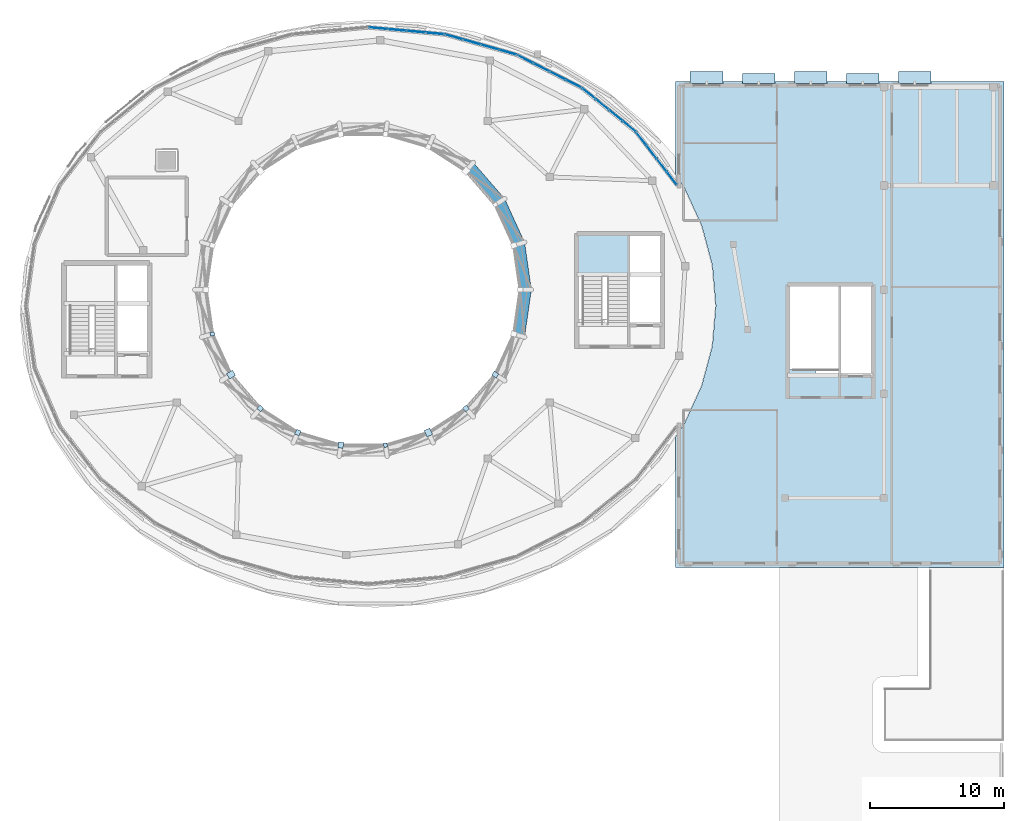
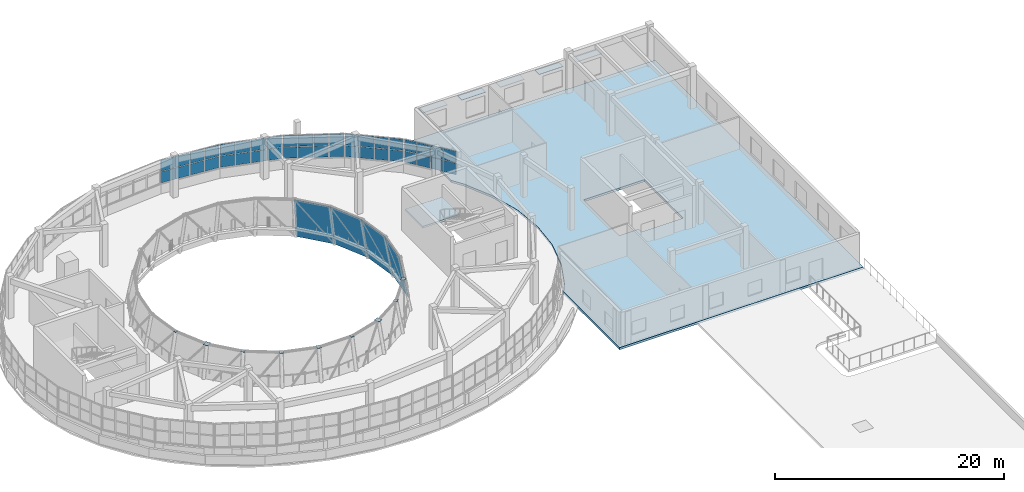
# One storey, part 32 of 46: 58 plates, 2 slabs, 6 elements without a shape of their own.
"""IFC4 building model written with IfcOpenShell, lengths in metres."""

from ifc_helpers import new_model, si_unit, direction, frame, origin, origin_2d, place, context, subcontext, project, spatial, polyline, rectangle, outline, extrude, material, layer, layer_set, type_object, element, aggregate, save


model = new_model("IFC4")

# Units and contexts
model_context = context("Model", 3, precision=1e-05, world=origin(), true_north=direction((0.0, 1.0)))
body_context = subcontext(model_context, "Body", "Model", "MODEL_VIEW")
ifc_project = project(units=[si_unit("LENGTHUNIT", "METRE"), si_unit("AREAUNIT", "SQUARE_METRE"), si_unit("VOLUMEUNIT", "CUBIC_METRE"), si_unit("PLANEANGLEUNIT", "RADIAN"), si_unit("MASSUNIT", "GRAM", prefix="KILO")], contexts=[model_context])

# Site, building, storey
site_placement = place(None, origin())
site = spatial("IfcSite", under=ifc_project, at=site_placement, CompositionType="ELEMENT")
building_placement = place(site_placement, origin())
building = spatial("IfcBuilding", under=site, at=building_placement, Name="Pelvatis Terrace Science Centre", CompositionType="ELEMENT")
storey_placement = place(building_placement, frame((0.0, 0.0, 19.800048828125)))
storey = spatial("IfcBuildingStorey", under=building, at=storey_placement, Name="L04", CompositionType="ELEMENT", Elevation=19.800048828125)

# Curtain wall, plates
ifc_material_1 = material(Name="Bronze-anodised aluminium and laminated glass", Category="aluminium")
ifc_layer_1 = layer(ifc_material_1, 0.14990234375)
ifc_layer_set_1 = layer_set([ifc_layer_1], Name="Bronze-anodised aluminium and laminated glass")
curtain_wall_type = type_object("IfcCurtainWallType", Name="CW-PASSAGE-C", PredefinedType="NOTDEFINED", material=ifc_layer_set_1)
curtain_wall_1_placement = place(storey_placement, origin())
curtain_wall_1 = element("IfcCurtainWall", 1, at=curtain_wall_1_placement, inside=storey, type_object=curtain_wall_type, Name="Ribbon curtain wall CW-213 (L04)", PredefinedType="NOTDEFINED")
ifc_material_2 = material(Name="Low-e laminated solar-control double glazing", Category="glass")
ifc_layer_2 = layer(ifc_material_2, 0.0400390625)
ifc_layer_set_2 = layer_set([ifc_layer_2], Name="Low-e laminated solar-control double glazing")
plate_type_1 = type_object("IfcPlateType", Name="CWP-SPN-40", PredefinedType="CURTAIN_PANEL", material=ifc_layer_set_2)
plate_1_placement = place(storey_placement, frame((132.319580078125, 94.151611328125, 1.074951171875), z_axis=(0.0, 0.0, 1.0), x_axis=(-0.611582483994, 0.791180678019, 0.0)))
plate_1 = element("IfcPlate", 2, at=plate_1_placement, type_object=plate_type_1, Name="CW-213 panel 1.1", PredefinedType="CURTAIN_PANEL", context=body_context, shape_type="SweptSolid", body=[
    extrude(rectangle(XDim=1.166748046875, YDim=0.0400390625, at=origin_2d()), origin(), (0.0, 0.0, 1.0), 1.1923828125),
])
plate_2_placement = place(storey_placement, frame((132.319580078125, 94.151611328125, 2.322509765625), z_axis=(0.0, 0.0, 1.0), x_axis=(-0.611582483994, 0.791180678019, 0.0)))
plate_2 = element("IfcPlate", 3, at=plate_2_placement, type_object=plate_type_1, Name="CW-213 panel 1.2", PredefinedType="CURTAIN_PANEL", context=body_context, shape_type="SweptSolid", body=[
    extrude(rectangle(XDim=1.166748046875, YDim=0.0400390625, at=origin_2d()), origin(), (0.0, 0.0, 1.0), 1.1923828125),
])
plate_3_placement = place(storey_placement, frame((131.56396484375, 95.12890625, 1.074951171875), z_axis=(0.0, 0.0, 1.0), x_axis=(-0.611582483994, 0.791180678019, 0.0)))
plate_3 = element("IfcPlate", 4, at=plate_3_placement, type_object=plate_type_1, Name="CW-213 panel 2.1", PredefinedType="CURTAIN_PANEL", context=body_context, shape_type="SweptSolid", body=[
    extrude(rectangle(XDim=1.194091796875, YDim=0.0400390625, at=origin_2d()), origin(), (0.0, 0.0, 1.0), 1.1923828125),
])
plate_4_placement = place(storey_placement, frame((131.56396484375, 95.12890625, 2.322509765625), z_axis=(0.0, 0.0, 1.0), x_axis=(-0.611582483994, 0.791180678019, 0.0)))
plate_4 = element("IfcPlate", 5, at=plate_4_placement, type_object=plate_type_1, Name="CW-213 panel 2.2", PredefinedType="CURTAIN_PANEL", context=body_context, shape_type="SweptSolid", body=[
    extrude(rectangle(XDim=1.194091796875, YDim=0.0400390625, at=origin_2d()), origin(), (0.0, 0.0, 1.0), 1.1923828125),
])
plate_5_placement = place(storey_placement, frame((130.800048828125, 96.117431640625, 1.074951171875), z_axis=(0.0, 0.0, 1.0), x_axis=(-0.611582483994, 0.791180678019, 0.0)))
plate_5 = element("IfcPlate", 6, at=plate_5_placement, type_object=plate_type_1, Name="CW-213 panel 3.1", PredefinedType="CURTAIN_PANEL", context=body_context, shape_type="SweptSolid", body=[
    extrude(rectangle(XDim=1.194091796875, YDim=0.0400390625, at=origin_2d()), origin(), (0.0, 0.0, 1.0), 1.1923828125),
])
plate_6_placement = place(storey_placement, frame((130.800048828125, 96.117431640625, 2.322509765625), z_axis=(0.0, 0.0, 1.0), x_axis=(-0.611582483994, 0.791180678019, 0.0)))
plate_6 = element("IfcPlate", 7, at=plate_6_placement, type_object=plate_type_1, Name="CW-213 panel 3.2", PredefinedType="CURTAIN_PANEL", context=body_context, shape_type="SweptSolid", body=[
    extrude(rectangle(XDim=1.194091796875, YDim=0.0400390625, at=origin_2d()), origin(), (0.0, 0.0, 1.0), 1.1923828125),
])
plate_7_placement = place(storey_placement, frame((130.04443359375, 97.0947265625, 1.074951171875), z_axis=(0.0, 0.0, 1.0), x_axis=(-0.611582483994, 0.791180678019, 0.0)))
plate_7 = element("IfcPlate", 8, at=plate_7_placement, type_object=plate_type_1, Name="CW-213 panel 4.1", PredefinedType="CURTAIN_PANEL", context=body_context, shape_type="SweptSolid", body=[
    extrude(rectangle(XDim=1.166748046875, YDim=0.0400390625, at=origin_2d()), origin(), (0.0, 0.0, 1.0), 1.1923828125),
])
plate_8_placement = place(storey_placement, frame((130.04443359375, 97.0947265625, 2.322509765625), z_axis=(0.0, 0.0, 1.0), x_axis=(-0.611582483994, 0.791180678019, 0.0)))
plate_8 = element("IfcPlate", 9, at=plate_8_placement, type_object=plate_type_1, Name="CW-213 panel 4.2", PredefinedType="CURTAIN_PANEL", context=body_context, shape_type="SweptSolid", body=[
    extrude(rectangle(XDim=1.166748046875, YDim=0.0400390625, at=origin_2d()), origin(), (0.0, 0.0, 1.0), 1.1923828125),
])
aggregate(curtain_wall_1, [plate_1, plate_2, plate_3, plate_4, plate_5, plate_6, plate_7, plate_8])

curtain_wall_2_placement = place(storey_placement, origin())
curtain_wall_2 = element("IfcCurtainWall", 10, at=curtain_wall_2_placement, inside=storey, type_object=curtain_wall_type, Name="Ribbon curtain wall CW-214 (L04)", PredefinedType="NOTDEFINED")
plate_9_placement = place(storey_placement, frame((129.1357421875, 98.021240234375, 1.074951171875), z_axis=(0.0, 0.0, 1.0), x_axis=(-0.775980152456, 0.630757324963, 0.0)))
plate_9 = element("IfcPlate", 11, at=plate_9_placement, type_object=plate_type_1, Name="CW-214 panel 1.1", PredefinedType="CURTAIN_PANEL", context=body_context, shape_type="SweptSolid", body=[
    extrude(rectangle(XDim=1.22607421875, YDim=0.0400390625, at=origin_2d()), origin(), (0.0, 0.0, 1.0), 1.1923828125),
])
plate_10_placement = place(storey_placement, frame((129.1357421875, 98.021240234375, 2.322509765625), z_axis=(0.0, 0.0, 1.0), x_axis=(-0.775980152456, 0.630757324963, 0.0)))
plate_10 = element("IfcPlate", 12, at=plate_10_placement, type_object=plate_type_1, Name="CW-214 panel 1.2", PredefinedType="CURTAIN_PANEL", context=body_context, shape_type="SweptSolid", body=[
    extrude(rectangle(XDim=1.22607421875, YDim=0.0400390625, at=origin_2d()), origin(), (0.0, 0.0, 1.0), 1.1923828125),
])
plate_11_placement = place(storey_placement, frame((128.130859375, 98.837890625, 1.074951171875), z_axis=(0.0, 0.0, 1.0), x_axis=(-0.775980152456, 0.630757324963, 0.0)))
plate_11 = element("IfcPlate", 13, at=plate_11_placement, type_object=plate_type_1, Name="CW-214 panel 2.1", PredefinedType="CURTAIN_PANEL", context=body_context, shape_type="SweptSolid", body=[
    extrude(rectangle(XDim=1.25341796875, YDim=0.0400390625, at=origin_2d()), origin(), (0.0, 0.0, 1.0), 1.1923828125),
])
plate_12_placement = place(storey_placement, frame((128.130859375, 98.837890625, 2.322509765625), z_axis=(0.0, 0.0, 1.0), x_axis=(-0.775980152456, 0.630757324963, 0.0)))
plate_12 = element("IfcPlate", 14, at=plate_12_placement, type_object=plate_type_1, Name="CW-214 panel 2.2", PredefinedType="CURTAIN_PANEL", context=body_context, shape_type="SweptSolid", body=[
    extrude(rectangle(XDim=1.25341796875, YDim=0.0400390625, at=origin_2d()), origin(), (0.0, 0.0, 1.0), 1.1923828125),
])
plate_13_placement = place(storey_placement, frame((127.115478515625, 99.6630859375, 1.074951171875), z_axis=(0.0, 0.0, 1.0), x_axis=(-0.775980152456, 0.630757324963, 0.0)))
plate_13 = element("IfcPlate", 15, at=plate_13_placement, type_object=plate_type_1, Name="CW-214 panel 3.1", PredefinedType="CURTAIN_PANEL", context=body_context, shape_type="SweptSolid", body=[
    extrude(rectangle(XDim=1.25341796875, YDim=0.0400390625, at=origin_2d()), origin(), (0.0, 0.0, 1.0), 1.1923828125),
])
plate_14_placement = place(storey_placement, frame((127.115478515625, 99.6630859375, 2.322509765625), z_axis=(0.0, 0.0, 1.0), x_axis=(-0.775980152456, 0.630757324963, 0.0)))
plate_14 = element("IfcPlate", 16, at=plate_14_placement, type_object=plate_type_1, Name="CW-214 panel 3.2", PredefinedType="CURTAIN_PANEL", context=body_context, shape_type="SweptSolid", body=[
    extrude(rectangle(XDim=1.25341796875, YDim=0.0400390625, at=origin_2d()), origin(), (0.0, 0.0, 1.0), 1.1923828125),
])
plate_15_placement = place(storey_placement, frame((126.11083984375, 100.479736328125, 1.074951171875), z_axis=(0.0, 0.0, 1.0), x_axis=(-0.775980152456, 0.630757324963, 0.0)))
plate_15 = element("IfcPlate", 17, at=plate_15_placement, type_object=plate_type_1, Name="CW-214 panel 4.1", PredefinedType="CURTAIN_PANEL", context=body_context, shape_type="SweptSolid", body=[
    extrude(rectangle(XDim=1.22607421875, YDim=0.0400390625, at=origin_2d()), origin(), (0.0, 0.0, 1.0), 1.1923828125),
])
plate_16_placement = place(storey_placement, frame((126.11083984375, 100.479736328125, 2.322509765625), z_axis=(0.0, 0.0, 1.0), x_axis=(-0.775980152456, 0.630757324963, 0.0)))
plate_16 = element("IfcPlate", 18, at=plate_16_placement, type_object=plate_type_1, Name="CW-214 panel 4.2", PredefinedType="CURTAIN_PANEL", context=body_context, shape_type="SweptSolid", body=[
    extrude(rectangle(XDim=1.22607421875, YDim=0.0400390625, at=origin_2d()), origin(), (0.0, 0.0, 1.0), 1.1923828125),
])
aggregate(curtain_wall_2, [plate_9, plate_10, plate_11, plate_12, plate_13, plate_14, plate_15, plate_16])

curtain_wall_3_placement = place(storey_placement, origin())
curtain_wall_3 = element("IfcCurtainWall", 19, at=curtain_wall_3_placement, inside=storey, type_object=curtain_wall_type, Name="Ribbon curtain wall CW-215 (L04)", PredefinedType="NOTDEFINED")
plate_17_placement = place(storey_placement, frame((124.972412109375, 101.218017578125, 1.074951171875), z_axis=(0.0, 0.0, 1.0), x_axis=(-0.890563601587, 0.454858737992, 0.0)))
plate_17 = element("IfcPlate", 20, at=plate_17_placement, type_object=plate_type_1, Name="CW-215 panel 1.1", PredefinedType="CURTAIN_PANEL", context=body_context, shape_type="SweptSolid", body=[
    extrude(rectangle(XDim=1.28271484375, YDim=0.0400390625, at=origin_2d()), origin(), (0.0, 0.0, 1.0), 1.1923828125),
])
plate_18_placement = place(storey_placement, frame((124.972412109375, 101.218017578125, 2.322509765625), z_axis=(0.0, 0.0, 1.0), x_axis=(-0.890563601587, 0.454858737992, 0.0)))
plate_18 = element("IfcPlate", 21, at=plate_18_placement, type_object=plate_type_1, Name="CW-215 panel 1.2", PredefinedType="CURTAIN_PANEL", context=body_context, shape_type="SweptSolid", body=[
    extrude(rectangle(XDim=1.28271484375, YDim=0.0400390625, at=origin_2d()), origin(), (0.0, 0.0, 1.0), 1.1923828125),
])
plate_19_placement = place(storey_placement, frame((123.768798828125, 101.832763671875, 1.074951171875), z_axis=(0.0, 0.0, 1.0), x_axis=(-0.890563601587, 0.454858737992, 0.0)))
plate_19 = element("IfcPlate", 22, at=plate_19_placement, type_object=plate_type_1, Name="CW-215 panel 2.1", PredefinedType="CURTAIN_PANEL", context=body_context, shape_type="SweptSolid", body=[
    extrude(rectangle(XDim=1.310302734375, YDim=0.0400390625, at=origin_2d()), origin(), (0.0, 0.0, 1.0), 1.1923828125),
])
plate_20_placement = place(storey_placement, frame((123.768798828125, 101.832763671875, 2.322509765625), z_axis=(0.0, 0.0, 1.0), x_axis=(-0.890563601587, 0.454858737992, 0.0)))
plate_20 = element("IfcPlate", 23, at=plate_20_placement, type_object=plate_type_1, Name="CW-215 panel 2.2", PredefinedType="CURTAIN_PANEL", context=body_context, shape_type="SweptSolid", body=[
    extrude(rectangle(XDim=1.310302734375, YDim=0.0400390625, at=origin_2d()), origin(), (0.0, 0.0, 1.0), 1.1923828125),
])
plate_21_placement = place(storey_placement, frame((122.552978515625, 102.45361328125, 1.074951171875), z_axis=(0.0, 0.0, 1.0), x_axis=(-0.890563601587, 0.454858737992, 0.0)))
plate_21 = element("IfcPlate", 24, at=plate_21_placement, type_object=plate_type_1, Name="CW-215 panel 3.1", PredefinedType="CURTAIN_PANEL", context=body_context, shape_type="SweptSolid", body=[
    extrude(rectangle(XDim=1.310302734375, YDim=0.0400390625, at=origin_2d()), origin(), (0.0, 0.0, 1.0), 1.1923828125),
])
plate_22_placement = place(storey_placement, frame((122.552978515625, 102.45361328125, 2.322509765625), z_axis=(0.0, 0.0, 1.0), x_axis=(-0.890563601587, 0.454858737992, 0.0)))
plate_22 = element("IfcPlate", 25, at=plate_22_placement, type_object=plate_type_1, Name="CW-215 panel 3.2", PredefinedType="CURTAIN_PANEL", context=body_context, shape_type="SweptSolid", body=[
    extrude(rectangle(XDim=1.310302734375, YDim=0.0400390625, at=origin_2d()), origin(), (0.0, 0.0, 1.0), 1.1923828125),
])
plate_23_placement = place(storey_placement, frame((121.349365234375, 103.068359375, 1.074951171875), z_axis=(0.0, 0.0, 1.0), x_axis=(-0.890563601587, 0.454858737992, 0.0)))
plate_23 = element("IfcPlate", 26, at=plate_23_placement, type_object=plate_type_1, Name="CW-215 panel 4.1", PredefinedType="CURTAIN_PANEL", context=body_context, shape_type="SweptSolid", body=[
    extrude(rectangle(XDim=1.28271484375, YDim=0.0400390625, at=origin_2d()), origin(), (0.0, 0.0, 1.0), 1.1923828125),
])
plate_24_placement = place(storey_placement, frame((121.349365234375, 103.068359375, 2.322509765625), z_axis=(0.0, 0.0, 1.0), x_axis=(-0.890563601587, 0.454858737992, 0.0)))
plate_24 = element("IfcPlate", 27, at=plate_24_placement, type_object=plate_type_1, Name="CW-215 panel 4.2", PredefinedType="CURTAIN_PANEL", context=body_context, shape_type="SweptSolid", body=[
    extrude(rectangle(XDim=1.28271484375, YDim=0.0400390625, at=origin_2d()), origin(), (0.0, 0.0, 1.0), 1.1923828125),
])
aggregate(curtain_wall_3, [plate_17, plate_18, plate_19, plate_20, plate_21, plate_22, plate_23, plate_24])

curtain_wall_4_placement = place(storey_placement, origin())
curtain_wall_4 = element("IfcCurtainWall", 28, at=curtain_wall_4_placement, inside=storey, type_object=curtain_wall_type, Name="Ribbon curtain wall CW-216 (L04)", PredefinedType="NOTDEFINED")
plate_25_placement = place(storey_placement, frame((120.0380859375, 103.581787109375, 1.074951171875), z_axis=(0.0, 0.0, 1.0), x_axis=(-0.96184998325, 0.273577429116, 0.0)))
plate_25 = element("IfcPlate", 29, at=plate_25_placement, type_object=plate_type_1, Name="CW-216 panel 1.1", PredefinedType="CURTAIN_PANEL", context=body_context, shape_type="SweptSolid", body=[
    extrude(rectangle(XDim=1.32666015625, YDim=0.0400390625, at=origin_2d()), origin(), (0.0, 0.0, 1.0), 1.1923828125),
])
plate_26_placement = place(storey_placement, frame((120.0380859375, 103.581787109375, 2.322509765625), z_axis=(0.0, 0.0, 1.0), x_axis=(-0.96184998325, 0.273577429116, 0.0)))
plate_26 = element("IfcPlate", 30, at=plate_26_placement, type_object=plate_type_1, Name="CW-216 panel 1.2", PredefinedType="CURTAIN_PANEL", context=body_context, shape_type="SweptSolid", body=[
    extrude(rectangle(XDim=1.32666015625, YDim=0.0400390625, at=origin_2d()), origin(), (0.0, 0.0, 1.0), 1.1923828125),
])
plate_27_placement = place(storey_placement, frame((118.696044921875, 103.96337890625, 1.074951171875), z_axis=(0.0, 0.0, 1.0), x_axis=(-0.96184998325, 0.273577429116, 0.0)))
plate_27 = element("IfcPlate", 31, at=plate_27_placement, type_object=plate_type_1, Name="CW-216 panel 2.1", PredefinedType="CURTAIN_PANEL", context=body_context, shape_type="SweptSolid", body=[
    extrude(rectangle(XDim=1.35400390625, YDim=0.0400390625, at=origin_2d()), origin(), (0.0, 0.0, 1.0), 1.1923828125),
])
plate_28_placement = place(storey_placement, frame((118.696044921875, 103.96337890625, 2.322509765625), z_axis=(0.0, 0.0, 1.0), x_axis=(-0.96184998325, 0.273577429116, 0.0)))
plate_28 = element("IfcPlate", 32, at=plate_28_placement, type_object=plate_type_1, Name="CW-216 panel 2.2", PredefinedType="CURTAIN_PANEL", context=body_context, shape_type="SweptSolid", body=[
    extrude(rectangle(XDim=1.35400390625, YDim=0.0400390625, at=origin_2d()), origin(), (0.0, 0.0, 1.0), 1.1923828125),
])
plate_29_placement = place(storey_placement, frame((117.3408203125, 104.348876953125, 1.074951171875), z_axis=(0.0, 0.0, 1.0), x_axis=(-0.96184998325, 0.273577429116, 0.0)))
plate_29 = element("IfcPlate", 33, at=plate_29_placement, type_object=plate_type_1, Name="CW-216 panel 3.1", PredefinedType="CURTAIN_PANEL", context=body_context, shape_type="SweptSolid", body=[
    extrude(rectangle(XDim=1.35400390625, YDim=0.0400390625, at=origin_2d()), origin(), (0.0, 0.0, 1.0), 1.1923828125),
])
plate_30_placement = place(storey_placement, frame((117.3408203125, 104.348876953125, 2.322509765625), z_axis=(0.0, 0.0, 1.0), x_axis=(-0.96184998325, 0.273577429116, 0.0)))
plate_30 = element("IfcPlate", 34, at=plate_30_placement, type_object=plate_type_1, Name="CW-216 panel 3.2", PredefinedType="CURTAIN_PANEL", context=body_context, shape_type="SweptSolid", body=[
    extrude(rectangle(XDim=1.35400390625, YDim=0.0400390625, at=origin_2d()), origin(), (0.0, 0.0, 1.0), 1.1923828125),
])
plate_31_placement = place(storey_placement, frame((115.99853515625, 104.730712890625, 1.074951171875), z_axis=(0.0, 0.0, 1.0), x_axis=(-0.96184998325, 0.273577429116, 0.0)))
plate_31 = element("IfcPlate", 35, at=plate_31_placement, type_object=plate_type_1, Name="CW-216 panel 4.1", PredefinedType="CURTAIN_PANEL", context=body_context, shape_type="SweptSolid", body=[
    extrude(rectangle(XDim=1.32666015625, YDim=0.0400390625, at=origin_2d()), origin(), (0.0, 0.0, 1.0), 1.1923828125),
])
plate_32_placement = place(storey_placement, frame((115.99853515625, 104.730712890625, 2.322509765625), z_axis=(0.0, 0.0, 1.0), x_axis=(-0.96184998325, 0.273577429116, 0.0)))
plate_32 = element("IfcPlate", 36, at=plate_32_placement, type_object=plate_type_1, Name="CW-216 panel 4.2", PredefinedType="CURTAIN_PANEL", context=body_context, shape_type="SweptSolid", body=[
    extrude(rectangle(XDim=1.32666015625, YDim=0.0400390625, at=origin_2d()), origin(), (0.0, 0.0, 1.0), 1.1923828125),
])
aggregate(curtain_wall_4, [plate_25, plate_26, plate_27, plate_28, plate_29, plate_30, plate_31, plate_32])

curtain_wall_5_placement = place(storey_placement, origin())
curtain_wall_5 = element("IfcCurtainWall", 37, at=curtain_wall_5_placement, inside=storey, type_object=curtain_wall_type, Name="Ribbon curtain wall CW-217 (L04)", PredefinedType="NOTDEFINED")
plate_33_placement = place(storey_placement, frame((114.58056640625, 104.993896484375, 1.074951171875), z_axis=(0.0, 0.0, 1.0), x_axis=(-0.995831338588, 0.09121373299, 0.0)))
plate_33 = element("IfcPlate", 38, at=plate_33_placement, type_object=plate_type_1, Name="CW-217 panel 1.1", PredefinedType="CURTAIN_PANEL", context=body_context, shape_type="SweptSolid", body=[
    extrude(rectangle(XDim=1.350341796875, YDim=0.0400390625, at=origin_2d()), origin(), (0.0, 0.0, 1.0), 1.1923828125),
])
plate_34_placement = place(storey_placement, frame((114.58056640625, 104.993896484375, 2.322509765625), z_axis=(0.0, 0.0, 1.0), x_axis=(-0.995831338588, 0.09121373299, 0.0)))
plate_34 = element("IfcPlate", 39, at=plate_34_placement, type_object=plate_type_1, Name="CW-217 panel 1.2", PredefinedType="CURTAIN_PANEL", context=body_context, shape_type="SweptSolid", body=[
    extrude(rectangle(XDim=1.350341796875, YDim=0.0400390625, at=origin_2d()), origin(), (0.0, 0.0, 1.0), 1.1923828125),
])
plate_35_placement = place(storey_placement, frame((113.167236328125, 105.123291015625, 1.074951171875), z_axis=(0.0, 0.0, 1.0), x_axis=(-0.995831338588, 0.09121373299, 0.0)))
plate_35 = element("IfcPlate", 40, at=plate_35_placement, type_object=plate_type_1, Name="CW-217 panel 2.1", PredefinedType="CURTAIN_PANEL", context=body_context, shape_type="SweptSolid", body=[
    extrude(rectangle(XDim=1.3779296875, YDim=0.0400390625, at=origin_2d()), origin(), (0.0, 0.0, 1.0), 1.1923828125),
])
plate_36_placement = place(storey_placement, frame((113.167236328125, 105.123291015625, 2.322509765625), z_axis=(0.0, 0.0, 1.0), x_axis=(-0.995831338588, 0.09121373299, 0.0)))
plate_36 = element("IfcPlate", 41, at=plate_36_placement, type_object=plate_type_1, Name="CW-217 panel 2.2", PredefinedType="CURTAIN_PANEL", context=body_context, shape_type="SweptSolid", body=[
    extrude(rectangle(XDim=1.3779296875, YDim=0.0400390625, at=origin_2d()), origin(), (0.0, 0.0, 1.0), 1.1923828125),
])
plate_37_placement = place(storey_placement, frame((111.740478515625, 105.25390625, 1.074951171875), z_axis=(0.0, 0.0, 1.0), x_axis=(-0.995831338588, 0.09121373299, 0.0)))
plate_37 = element("IfcPlate", 42, at=plate_37_placement, type_object=plate_type_1, Name="CW-217 panel 3.1", PredefinedType="CURTAIN_PANEL", context=body_context, shape_type="SweptSolid", body=[
    extrude(rectangle(XDim=1.3779296875, YDim=0.0400390625, at=origin_2d()), origin(), (0.0, 0.0, 1.0), 1.1923828125),
])
plate_38_placement = place(storey_placement, frame((111.740478515625, 105.25390625, 2.322509765625), z_axis=(0.0, 0.0, 1.0), x_axis=(-0.995831338588, 0.09121373299, 0.0)))
plate_38 = element("IfcPlate", 43, at=plate_38_placement, type_object=plate_type_1, Name="CW-217 panel 3.2", PredefinedType="CURTAIN_PANEL", context=body_context, shape_type="SweptSolid", body=[
    extrude(rectangle(XDim=1.3779296875, YDim=0.0400390625, at=origin_2d()), origin(), (0.0, 0.0, 1.0), 1.1923828125),
])
plate_39_placement = place(storey_placement, frame((110.3271484375, 105.38330078125, 1.074951171875), z_axis=(0.0, 0.0, 1.0), x_axis=(-0.995831338588, 0.09121373299, 0.0)))
plate_39 = element("IfcPlate", 44, at=plate_39_placement, type_object=plate_type_1, Name="CW-217 panel 4.1", PredefinedType="CURTAIN_PANEL", context=body_context, shape_type="SweptSolid", body=[
    extrude(rectangle(XDim=1.350341796875, YDim=0.0400390625, at=origin_2d()), origin(), (0.0, 0.0, 1.0), 1.1923828125),
])
plate_40_placement = place(storey_placement, frame((110.3271484375, 105.38330078125, 2.322509765625), z_axis=(0.0, 0.0, 1.0), x_axis=(-0.995831338588, 0.09121373299, 0.0)))
plate_40 = element("IfcPlate", 45, at=plate_40_placement, type_object=plate_type_1, Name="CW-217 panel 4.2", PredefinedType="CURTAIN_PANEL", context=body_context, shape_type="SweptSolid", body=[
    extrude(rectangle(XDim=1.350341796875, YDim=0.0400390625, at=origin_2d()), origin(), (0.0, 0.0, 1.0), 1.1923828125),
])
aggregate(curtain_wall_5, [plate_33, plate_34, plate_35, plate_36, plate_37, plate_38, plate_39, plate_40])

# Plates
ifc_material_3 = material(Name="Bronze-patinated standing-seam titanium-zinc sheet", Category="steel")
ifc_layer_3 = layer(ifc_material_3, 0.01611328125)
ifc_layer_set_3 = layer_set([ifc_layer_3], Name="Bronze-patinated standing-seam titanium-zinc sheet")
plate_type_2 = type_object("IfcPlateType", Name="PLT-DOM-SH16", PredefinedType="SHEET", material=ifc_layer_set_3)
plate_41_placement = place(storey_placement, frame((121.800048828125, 85.800048828125, -1.199951171875), z_axis=(0.973569361544, 0.140006435538, 0.180446380595), x_axis=(-0.142343110594, 0.989817376523, 4.90895e-07)))
element("IfcPlate", 46, at=plate_41_placement, inside=storey, type_object=plate_type_2, Name="Planetarium dome shell panel 1.01", PredefinedType="SHEET", context=body_context, shape_type="SweptSolid", body=[
    extrude(outline(polyline([(0.0, 0.0), (3.586324242893408, 0.0), (3.467186543705906, 4.590736917119362), (0.11913116753453085, 4.590740377983386), (0.0, 0.0)])), origin(), (0.0, 0.0, -1.0), 0.013916015625),
])
plate_42_placement = place(storey_placement, frame((121.28955078125, 89.349853515625, -1.199951171875), z_axis=(0.894704511848, 0.408585305387, 0.180449119425), x_axis=(-0.415404390444, 0.909636846439, -3.67539e-07)))
element("IfcPlate", 47, at=plate_42_placement, inside=storey, type_object=plate_type_2, Name="Planetarium dome shell panel 1.02", PredefinedType="SHEET", context=body_context, shape_type="SweptSolid", body=[
    extrude(outline(polyline([(0.0, 0.0), (3.5862707843283346, 0.0), (3.467243047014396, 4.590742288341202), (0.11903052951255566, 4.5907396971137535), (0.0, 0.0)])), origin(), (0.0, 0.0, -1.0), 0.013916015625),
])
plate_43_placement = place(storey_placement, frame((119.7998046875, 92.612060546875, -1.199951171875), z_axis=(0.743352083372, 0.644104572381, 0.180435528608), x_axis=(-0.654853130606, 0.755756162614, 2.432971e-06)))
element("IfcPlate", 48, at=plate_43_placement, inside=storey, type_object=plate_type_2, Name="Planetarium dome shell panel 1.03", PredefinedType="SHEET", context=body_context, shape_type="SweptSolid", body=[
    extrude(outline(polyline([(0.0, 0.0), (3.5864482504332234, 0.0), (3.467154111164172, 4.590720779466294), (0.11919561942168262, 4.590737932210867), (0.0, 0.0)])), origin(), (0.0, 0.0, -1.0), 0.013916015625),
])
plate_44_placement = place(storey_placement, frame((121.28955078125, 82.250244140625, -1.199951171875), z_axis=(0.973570728058, -0.140001652269, 0.180442718973), x_axis=(0.142338311787, 0.989818066614, -1.380302e-06)))
element("IfcPlate", 49, at=plate_44_placement, inside=storey, type_object=plate_type_2, Name="Planetarium dome shell panel 1.22", PredefinedType="SHEET", context=body_context, shape_type="SweptSolid", body=[
    extrude(outline(polyline([(0.0, 0.0), (3.5863242428017514, -1.3877787807814457e-17), (3.467193075447489, 4.590740377916461), (0.11889604446727604, 4.590730646308258), (0.0, 0.0)])), origin(), (0.0, 0.0, -1.0), 0.013916015625),
])
ifc_material_4 = material(Name="Structural steel S355", Category="steel")
ifc_layer_4 = layer(ifc_material_4, 0.01611328125)
ifc_layer_set_4 = layer_set([ifc_layer_4], Name="Structural steel S355")
plate_type_3 = type_object("IfcPlateType", Name="PLT-GUS-320x280x16", PredefinedType="USERDEFINED", material=ifc_layer_set_4)
for number, where, z_axis, x_axis, name in (
    (50, (97.913330078125, 82.48583984375, 3.307373046875), (0.0, 0.0, 1.0), (-0.959510852267, -0.281671660596, 0.0), "Dome node gusset plate 2.13"),
    (51, (110.8740234375, 74.156494140625, 3.307373046875), (0.0, 0.0, 1.0), (0.142283427941, -0.989825957496, 0.0), "Dome node gusset plate 2.18"),
):
    element("IfcPlate", number, at=place(storey_placement, frame(where, z_axis=z_axis, x_axis=x_axis)), inside=storey, type_object=plate_type_3, Name=name, ObjectType="GUSSET", PredefinedType="USERDEFINED", context=body_context, shape_type="SweptSolid", body=[
        extrude(rectangle(XDim=0.320068359375, YDim=0.280029296875, at=origin_2d()), origin(), (0.0, 0.0, 1.0), 0.01611328125),
    ])
ifc_material_5 = material(Name="Structural steel S355", Category="steel")
ifc_layer_5 = layer(ifc_material_5, 0.02001953125)
ifc_layer_set_5 = layer_set([ifc_layer_5], Name="Structural steel S355")
plate_type_4 = type_object("IfcPlateType", Name="PLT-GUS-360x360x20", PredefinedType="USERDEFINED", material=ifc_layer_set_5)
for number, where, z_axis, x_axis, name in (
    (52, (101.496826171875, 76.909912109375, 3.305419921875), (0.0, 0.0, 1.0), (-0.654872725061, -0.755739183826, 0.0), "Dome node gusset plate 2.15"),
    (53, (116.9033203125, 76.909912109375, 3.305419921875), (0.0, 0.0, 1.0), (0.654872725061, -0.755739183826, 0.0), "Dome node gusset plate 2.20"),
):
    element("IfcPlate", number, at=place(storey_placement, frame(where, z_axis=z_axis, x_axis=x_axis)), inside=storey, type_object=plate_type_4, Name=name, ObjectType="GUSSET", PredefinedType="USERDEFINED", context=body_context, shape_type="SweptSolid", body=[
        extrude(rectangle(XDim=0.360107421875, YDim=0.360107421875, at=origin_2d()), origin(), (0.0, 0.0, 1.0), 0.02001953125),
    ])
ifc_material_6 = material(Name="Structural steel S355", Category="steel")
ifc_layer_6 = layer(ifc_material_6, 0.02197265625)
ifc_layer_set_6 = layer_set([ifc_layer_6], Name="Structural steel S355")
plate_type_5 = type_object("IfcPlateType", Name="PLT-GUS-400x360x22", PredefinedType="USERDEFINED", material=ifc_layer_set_6)
for number, where, z_axis, x_axis, name in (
    (54, (104.3134765625, 75.099853515625, 3.304443359375), (0.0, 0.0, 1.0), (-0.415487175664, -0.909599036311, 0.0), "Dome node gusset plate 2.16"),
    (55, (119.095703125, 79.4404296875, 3.304443359375), (0.0, 0.0, 1.0), (0.841227797435, -0.540680860418, 0.0), "Dome node gusset plate 2.21"),
):
    element("IfcPlate", number, at=place(storey_placement, frame(where, z_axis=z_axis, x_axis=x_axis)), inside=storey, type_object=plate_type_5, Name=name, ObjectType="GUSSET", PredefinedType="USERDEFINED", context=body_context, shape_type="SweptSolid", body=[
        extrude(rectangle(XDim=0.39990234375, YDim=0.360107421875, at=origin_2d()), origin(), (0.0, 0.0, 1.0), 0.02197265625),
    ])
ifc_material_7 = material(Name="Structural steel S355", Category="steel")
ifc_layer_7 = layer(ifc_material_7, 0.02392578125)
ifc_layer_set_7 = layer_set([ifc_layer_7], Name="Structural steel S355")
plate_type_6 = type_object("IfcPlateType", Name="PLT-GUS-440x400x24", PredefinedType="USERDEFINED", material=ifc_layer_set_7)
plate_45_placement = place(storey_placement, frame((107.52587890625, 74.156494140625, 3.303466796875), z_axis=(0.0, 0.0, 1.0), x_axis=(-0.142283427941, -0.989825957496, 0.0)))
element("IfcPlate", 56, at=plate_45_placement, inside=storey, type_object=plate_type_6, Name="Dome node gusset plate 2.17", ObjectType="GUSSET", PredefinedType="USERDEFINED", context=body_context, shape_type="SweptSolid", body=[
    extrude(rectangle(XDim=0.43994140625, YDim=0.39990234375, at=origin_2d()), origin(), (0.0, 0.0, 1.0), 0.02392578125),
])
ifc_material_8 = material(Name="Structural steel S355", Category="steel")
ifc_layer_8 = layer(ifc_material_8, 0.028076171875)
ifc_layer_set_8 = layer_set([ifc_layer_8], Name="Structural steel S355")
plate_type_7 = type_object("IfcPlateType", Name="PLT-GUS-520x460x28", PredefinedType="USERDEFINED", material=ifc_layer_set_8)
for number, where, z_axis, x_axis, name in (
    (57, (99.30419921875, 79.4404296875, 3.30126953125), (0.0, 0.0, 1.0), (-0.841227797435, -0.540680860418, 0.0), "Dome node gusset plate 2.14"),
    (58, (114.086669921875, 75.099853515625, 3.30126953125), (0.0, 0.0, 1.0), (0.415487175664, -0.909599036311, 0.0), "Dome node gusset plate 2.19"),
):
    element("IfcPlate", number, at=place(storey_placement, frame(where, z_axis=z_axis, x_axis=x_axis)), inside=storey, type_object=plate_type_7, Name=name, ObjectType="GUSSET", PredefinedType="USERDEFINED", context=body_context, shape_type="SweptSolid", body=[
        extrude(rectangle(XDim=0.52001953125, YDim=0.4599609375, at=origin_2d()), origin(), (0.0, 0.0, 1.0), 0.028076171875),
    ])
ifc_material_9 = material(Name="Perforated architectural bronze sunshade canopy", Category="aluminium")
ifc_layer_9 = layer(ifc_material_9, 0.0400390625)
ifc_layer_set_9 = layer_set([ifc_layer_9], Name="Perforated architectural bronze sunshade canopy")
plate_type_8 = type_object("IfcPlateType", Name="PLT-SHD-N750", PredefinedType="SHEET", material=ifc_layer_set_9)
for number, where, z_axis, x_axis, name in (
    (59, (138.824951171875, 101.612548828125, 2.637451171875), (0.0, 0.0, 1.0), (1.0, 0.0, 0.0), "North solar sunshade 131"),
    (60, (146.625, 101.612548828125, 2.637451171875), (0.0, 0.0, 1.0), (1.0, 0.0, 0.0), "North solar sunshade 133"),
):
    element("IfcPlate", number, at=place(storey_placement, frame(where, z_axis=z_axis, x_axis=x_axis)), inside=storey, type_object=plate_type_8, Name=name, PredefinedType="SHEET", context=body_context, shape_type="SweptSolid", body=[
        extrude(rectangle(XDim=2.449951171875, YDim=0.75, at=origin_2d()), origin(), (0.0, 0.0, 1.0), 0.044921875),
    ])
ifc_material_10 = material(Name="Perforated architectural bronze sunshade canopy", Category="aluminium")
ifc_layer_10 = layer(ifc_material_10, 0.044921875)
ifc_layer_set_10 = layer_set([ifc_layer_10], Name="Perforated architectural bronze sunshade canopy")
plate_type_9 = type_object("IfcPlateType", Name="PLT-SHD-N900", PredefinedType="SHEET", material=ifc_layer_set_10)
for number, where, z_axis, x_axis, name in (
    (61, (134.925048828125, 101.6875, 2.637451171875), (0.0, 0.0, 1.0), (1.0, 0.0, 0.0), "North solar sunshade 130"),
    (62, (142.72509765625, 101.6875, 2.637451171875), (0.0, 0.0, 1.0), (1.0, 0.0, 0.0), "North solar sunshade 132"),
    (63, (150.52490234375, 101.6875, 2.637451171875), (0.0, 0.0, 1.0), (1.0, 0.0, 0.0), "North solar sunshade 134"),
):
    element("IfcPlate", number, at=place(storey_placement, frame(where, z_axis=z_axis, x_axis=x_axis)), inside=storey, type_object=plate_type_9, Name=name, PredefinedType="SHEET", context=body_context, shape_type="SweptSolid", body=[
        extrude(rectangle(XDim=2.449951171875, YDim=0.89990234375, at=origin_2d()), origin(), (0.0, 0.0, 1.0), 0.044921875),
    ])

# Slab
ifc_material_11 = material(Name="Concrete C35/45", Category="concrete")
ifc_layer_11 = layer(ifc_material_11, 0.22998046875)
ifc_layer_set_11 = layer_set([ifc_layer_11], Name="Concrete C35/45")
slab_type_1 = type_object("IfcSlabType", Name="SLB-FLR-230", PredefinedType="FLOOR", material=ifc_layer_set_11)
slab_1_placement = place(storey_placement, frame((0.0, 0.0, -0.22998046875)))
element("IfcSlab", 64, at=slab_1_placement, inside=storey, type_object=slab_type_1, Name="L04 Educator workrooms and acoustic AHU slab", PredefinedType="FLOOR", context=body_context, shape_type="SweptSolid", body=[
    extrude(outline(polyline([(133.26708984375, 75.781982421875), (134.566162109375, 78.6220703125), (135.35498046875, 81.579345703125), (135.6201171875, 84.60009765625), (135.35498046875, 87.62060546875), (134.566162109375, 90.577880859375), (133.267822265625, 93.41650390625), (132.60009765625, 94.4140625), (132.60009765625, 101.39990234375), (157.199951171875, 101.39990234375), (157.199951171875, 65.0), (132.60009765625, 65.0), (132.60009765625, 74.785888671875), (133.26708984375, 75.781982421875)]), holes=[polyline([(143.080078125, 79.820068359375), (143.080078125, 79.320068359375), (147.280029296875, 79.320068359375), (147.280029296875, 86.080078125), (141.1201171875, 86.080078125), (141.1201171875, 79.820068359375), (143.080078125, 79.820068359375)])]), origin(), (0.0, 0.0, 1.0), 0.22998046875),
])

# Stair, slab
ifc_material_12 = material(Name="Concrete C35/45", Category="concrete")
stair_type = type_object("IfcStairType", Name="STR-2RUN-1500-45", PredefinedType="TWO_STRAIGHT_RUN_STAIR", material=ifc_material_12)
stair_placement = place(storey_placement, origin())
stair = element("IfcStair", 65, at=stair_placement, inside=storey, type_object=stair_type, Name="Protected core stair ST-02-L04", PredefinedType="TWO_STRAIGHT_RUN_STAIR")
ifc_material_13 = material(Name="Concrete C35/45", Category="concrete")
ifc_layer_12 = layer(ifc_material_13, 0.199951171875)
ifc_layer_set_12 = layer_set([ifc_layer_12], Name="Concrete C35/45")
slab_type_2 = type_object("IfcSlabType", Name="SLB-LND-200", PredefinedType="LANDING", material=ifc_layer_set_12)
slab_2_placement = place(storey_placement, frame((0.0, 0.0, 2.050048828125)))
slab_2 = element("IfcSlab", 66, at=slab_2_placement, type_object=slab_type_2, Name="ST-02-L04 landing 1", PredefinedType="LANDING", context=body_context, shape_type="SweptSolid", body=[
    extrude(outline(polyline([(125.330078125, 86.800048828125), (129.050048828125, 86.800048828125), (129.050048828125, 89.8701171875), (125.330078125, 89.8701171875), (125.330078125, 86.800048828125)])), origin(), (0.0, 0.0, 1.0), 0.199951171875),
])
aggregate(stair, [slab_2])

save(model, "model.ifc")
